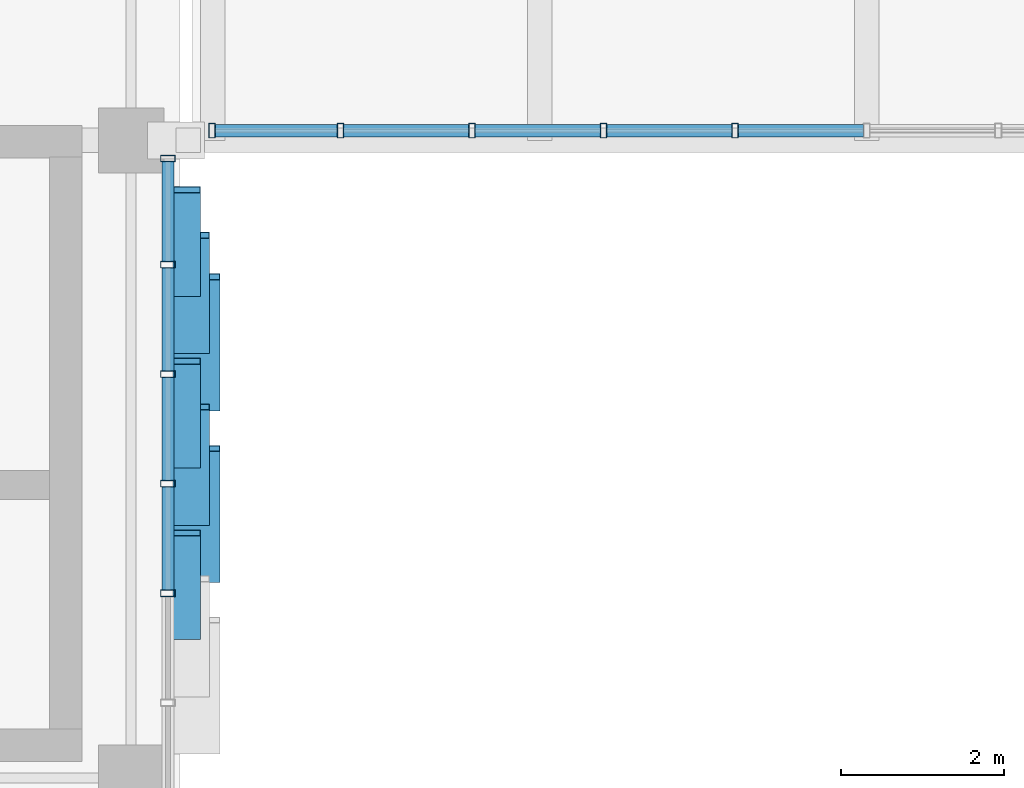
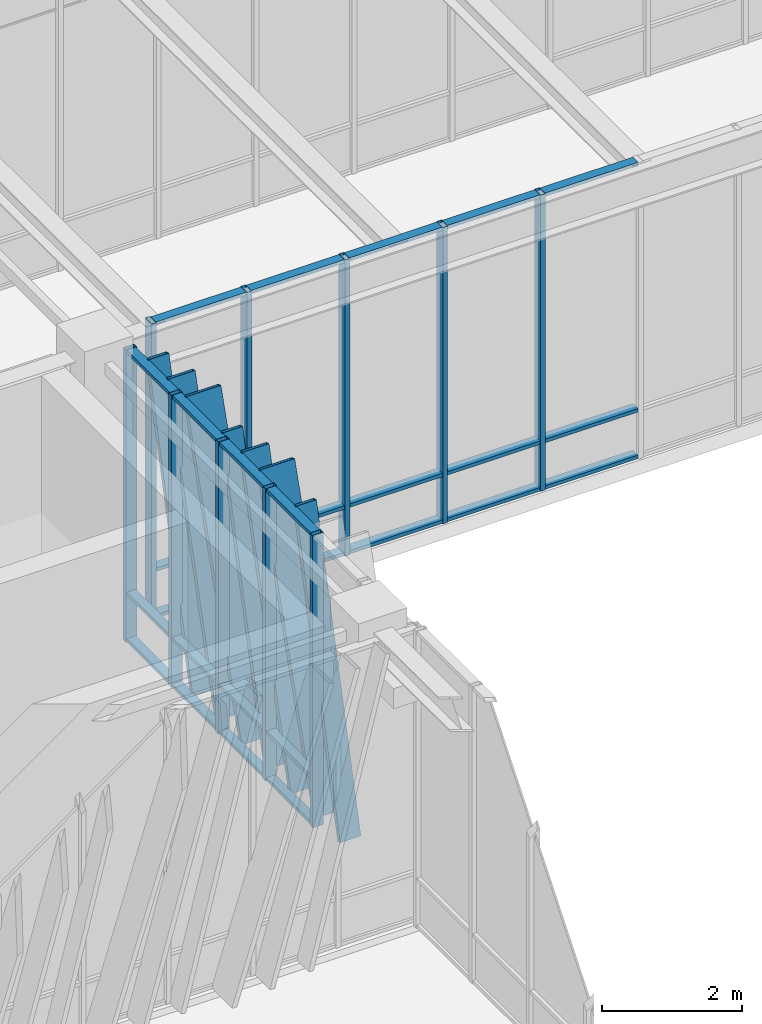
# One storey, part 56 of 139: 44 members, 2 elements without a shape of their own.
"""IFC4 building model written with IfcOpenShell, lengths in metres."""

from ifc_helpers import new_model, si_unit, direction, frame, origin, origin_2d, place, context, subcontext, project, spatial, hollow_rectangle, extrude, material, layer, layer_set, material_profile, profile_set, type_object, element, aggregate, save


model = new_model("IFC4")

# Units and contexts
model_context = context("Model", 3, precision=1e-05, world=origin(), true_north=direction((0.0, 1.0)))
body_context = subcontext(model_context, "Body", "Model", "MODEL_VIEW")
ifc_project = project(units=[si_unit("LENGTHUNIT", "METRE"), si_unit("AREAUNIT", "SQUARE_METRE"), si_unit("VOLUMEUNIT", "CUBIC_METRE"), si_unit("PLANEANGLEUNIT", "RADIAN"), si_unit("MASSUNIT", "GRAM", prefix="KILO")], contexts=[model_context])

# Site, building, storey
site_placement = place(None, origin())
site = spatial("IfcSite", under=ifc_project, at=site_placement, CompositionType="ELEMENT")
building_placement = place(site_placement, origin())
building = spatial("IfcBuilding", under=site, at=building_placement, Name="Zayran Congress Hotel", CompositionType="ELEMENT")
storey_placement = place(building_placement, frame((0.0, 0.0, 5.39990234375)))
storey = spatial("IfcBuildingStorey", under=building, at=storey_placement, Name="L01", CompositionType="ELEMENT", Elevation=5.39990234375)

# Curtain wall, members
ifc_material_1 = material(Name="Anodised aluminium and low-E insulated glass", Category="aluminium")
ifc_layer_1 = layer(ifc_material_1, 0.179931640625)
ifc_layer_set_1 = layer_set([ifc_layer_1], Name="Anodised aluminium and low-E insulated glass")
curtain_wall_type_1 = type_object("IfcCurtainWallType", Name="CW-V1E-L01-CW-41-8040-5080", PredefinedType="USERDEFINED", material=ifc_layer_set_1)
curtain_wall_1_placement = place(storey_placement, origin())
curtain_wall_1 = element("IfcCurtainWall", 1, at=curtain_wall_1_placement, inside=storey, type_object=curtain_wall_type_1, Name="CW-V1E-L01-0", ObjectType="CURTAIN WALL", PredefinedType="USERDEFINED")
ifc_material_2 = material(Name="Anodised aluminium framing", Category="aluminium")
ifc_material_profile_1 = material_profile(ifc_material_2, hollow_rectangle(XDim=0.080078125, YDim=0.179931640625, WallThickness=0.0048828125, at=origin_2d()), Name="RHS 180x80x5")
ifc_profile_set_1 = profile_set([ifc_material_profile_1], Name="Anodised aluminium framing")
member_type_1 = type_object("IfcMemberType", Name="TP-CWM-01", PredefinedType="MULLION", material=ifc_profile_set_1)
member_1_placement = place(storey_placement, frame((92.25, 70.4599609375, 0.0), z_axis=(0.0, 0.0, 1.0), x_axis=(0.0, 1.0, 0.0)))
member_1 = element("IfcMember", 2, at=member_1_placement, type_object=member_type_1, Name="CW-V1E-L01-0-M02", PredefinedType="MULLION", context=body_context, shape_type="SweptSolid", body=[
    extrude(hollow_rectangle(XDim=0.080078125, YDim=0.179931640625, WallThickness=0.0048828125, at=origin_2d()), origin(), (0.0, 0.0, 1.0), 5.080078125),
])
member_2_placement = place(storey_placement, frame((92.25, 71.800048828125, 0.0), z_axis=(0.0, 0.0, 1.0), x_axis=(0.0, 1.0, 0.0)))
member_2 = element("IfcMember", 3, at=member_2_placement, type_object=member_type_1, Name="CW-V1E-L01-0-M03", PredefinedType="MULLION", context=body_context, shape_type="SweptSolid", body=[
    extrude(hollow_rectangle(XDim=0.080078125, YDim=0.179931640625, WallThickness=0.0048828125, at=origin_2d()), origin(), (0.0, 0.0, 1.0), 5.080078125),
])
member_3_placement = place(storey_placement, frame((92.25, 73.139892578125, 0.0), z_axis=(0.0, 0.0, 1.0), x_axis=(0.0, 1.0, 0.0)))
member_3 = element("IfcMember", 4, at=member_3_placement, type_object=member_type_1, Name="CW-V1E-L01-0-M04", PredefinedType="MULLION", context=body_context, shape_type="SweptSolid", body=[
    extrude(hollow_rectangle(XDim=0.080078125, YDim=0.179931640625, WallThickness=0.0048828125, at=origin_2d()), origin(), (0.0, 0.0, 1.0), 5.080078125),
])
member_4_placement = place(storey_placement, frame((92.25, 74.47998046875, 0.0), z_axis=(0.0, 0.0, 1.0), x_axis=(0.0, 1.0, 0.0)))
member_4 = element("IfcMember", 5, at=member_4_placement, type_object=member_type_1, Name="CW-V1E-L01-0-M05", PredefinedType="MULLION", context=body_context, shape_type="SweptSolid", body=[
    extrude(hollow_rectangle(XDim=0.080078125, YDim=0.179931640625, WallThickness=0.0048828125, at=origin_2d()), origin(), (0.0, 0.0, 1.0), 5.080078125),
])
member_5_placement = place(storey_placement, frame((92.25, 75.780029296875, 0.0), z_axis=(0.0, 0.0, 1.0), x_axis=(0.0, 1.0, 0.0)))
member_5 = element("IfcMember", 6, at=member_5_placement, type_object=member_type_1, Name="CW-V1E-L01-0-M06", PredefinedType="MULLION", context=body_context, shape_type="SweptSolid", body=[
    extrude(hollow_rectangle(XDim=0.080078125, YDim=0.179931640625, WallThickness=0.0048828125, at=origin_2d()), origin(), (0.0, 0.0, 1.0), 5.080078125),
])

ifc_layer_2 = layer(ifc_material_1, 0.179931640625)
ifc_layer_set_2 = layer_set([ifc_layer_2], Name="Anodised aluminium and low-E insulated glass")
curtain_wall_type_2 = type_object("IfcCurtainWallType", Name="CW-BR1-L01-CW-BR1-16100-5150", PredefinedType="USERDEFINED", material=ifc_layer_set_2)
curtain_wall_2_placement = place(storey_placement, origin())
curtain_wall_2 = element("IfcCurtainWall", 7, at=curtain_wall_2_placement, inside=storey, type_object=curtain_wall_type_2, Name="CW-BR1S-L01", ObjectType="CURTAIN WALL", PredefinedType="USERDEFINED")
member_6_placement = place(storey_placement, frame((92.7900390625, 76.1201171875, 0.0), z_axis=(0.0, 0.0, 1.0), x_axis=(1.0, 0.0, 0.0)))
member_6 = element("IfcMember", 8, at=member_6_placement, type_object=member_type_1, Name="CW-BR1S-L01-M00", PredefinedType="MULLION", context=body_context, shape_type="SweptSolid", body=[
    extrude(hollow_rectangle(XDim=0.080078125, YDim=0.179931640625, WallThickness=0.0048828125, at=origin_2d()), origin(), (0.0, 0.0, 1.0), 5.150146484375),
])
member_7_placement = place(storey_placement, frame((94.360107421875, 76.1201171875, 0.0), z_axis=(0.0, 0.0, 1.0), x_axis=(1.0, 0.0, 0.0)))
member_7 = element("IfcMember", 9, at=member_7_placement, type_object=member_type_1, Name="CW-BR1S-L01-M01", PredefinedType="MULLION", context=body_context, shape_type="SweptSolid", body=[
    extrude(hollow_rectangle(XDim=0.080078125, YDim=0.179931640625, WallThickness=0.0048828125, at=origin_2d()), origin(), (0.0, 0.0, 1.0), 5.150146484375),
])
member_8_placement = place(storey_placement, frame((95.969970703125, 76.1201171875, 0.0), z_axis=(0.0, 0.0, 1.0), x_axis=(1.0, 0.0, 0.0)))
member_8 = element("IfcMember", 10, at=member_8_placement, type_object=member_type_1, Name="CW-BR1S-L01-M02", PredefinedType="MULLION", context=body_context, shape_type="SweptSolid", body=[
    extrude(hollow_rectangle(XDim=0.080078125, YDim=0.179931640625, WallThickness=0.0048828125, at=origin_2d()), origin(), (0.0, 0.0, 1.0), 5.150146484375),
])
member_9_placement = place(storey_placement, frame((97.580078125, 76.1201171875, 0.0), z_axis=(0.0, 0.0, 1.0), x_axis=(1.0, 0.0, 0.0)))
member_9 = element("IfcMember", 11, at=member_9_placement, type_object=member_type_1, Name="CW-BR1S-L01-M03", PredefinedType="MULLION", context=body_context, shape_type="SweptSolid", body=[
    extrude(hollow_rectangle(XDim=0.080078125, YDim=0.179931640625, WallThickness=0.0048828125, at=origin_2d()), origin(), (0.0, 0.0, 1.0), 5.150146484375),
])
member_10_placement = place(storey_placement, frame((99.18994140625, 76.1201171875, 0.0), z_axis=(0.0, 0.0, 1.0), x_axis=(1.0, 0.0, 0.0)))
member_10 = element("IfcMember", 12, at=member_10_placement, type_object=member_type_1, Name="CW-BR1S-L01-M04", PredefinedType="MULLION", context=body_context, shape_type="SweptSolid", body=[
    extrude(hollow_rectangle(XDim=0.080078125, YDim=0.179931640625, WallThickness=0.0048828125, at=origin_2d()), origin(), (0.0, 0.0, 1.0), 5.150146484375),
])

# Member
ifc_material_profile_2 = material_profile(ifc_material_2, hollow_rectangle(XDim=0.06005859375, YDim=0.14990234375, WallThickness=0.00390625, at=origin_2d()), Name="RHS 150x60x4")
ifc_profile_set_2 = profile_set([ifc_material_profile_2], Name="Anodised aluminium framing")
member_type_2 = type_object("IfcMemberType", Name="TP-CWT-01", PredefinedType="USERDEFINED", material=ifc_profile_set_2)
member_11_placement = place(storey_placement, frame((92.25, 70.5, 0.030029296875), z_axis=(0.0, 1.0, 0.0), x_axis=(0.0, 0.0, 1.0)))
member_11 = element("IfcMember", 13, at=member_11_placement, type_object=member_type_2, Name="CW-V1E-L01-0-T02-0", ObjectType="TRANSOM", PredefinedType="USERDEFINED", context=body_context, shape_type="SweptSolid", body=[
    extrude(hollow_rectangle(XDim=0.06005859375, YDim=0.14990234375, WallThickness=0.00390625, at=origin_2d()), origin(), (0.0, 0.0, 1.0), 1.260009765625),
])

member_12_placement = place(storey_placement, frame((92.25, 70.5, 0.840087890625), z_axis=(0.0, 1.0, 0.0), x_axis=(0.0, 0.0, 1.0)))
member_12 = element("IfcMember", 14, at=member_12_placement, type_object=member_type_2, Name="CW-V1E-L01-0-T02-1", ObjectType="TRANSOM", PredefinedType="USERDEFINED", context=body_context, shape_type="SweptSolid", body=[
    extrude(hollow_rectangle(XDim=0.06005859375, YDim=0.14990234375, WallThickness=0.00390625, at=origin_2d()), origin(), (0.0, 0.0, 1.0), 1.260009765625),
])

member_13_placement = place(storey_placement, frame((92.25, 70.5, 5.050048828125), z_axis=(0.0, 1.0, 0.0), x_axis=(0.0, 0.0, 1.0)))
member_13 = element("IfcMember", 15, at=member_13_placement, type_object=member_type_2, Name="CW-V1E-L01-0-T02-2", ObjectType="TRANSOM", PredefinedType="USERDEFINED", context=body_context, shape_type="SweptSolid", body=[
    extrude(hollow_rectangle(XDim=0.06005859375, YDim=0.14990234375, WallThickness=0.00390625, at=origin_2d()), origin(), (0.0, 0.0, 1.0), 1.260009765625),
])

member_14_placement = place(storey_placement, frame((92.25, 71.840087890625, 0.030029296875), z_axis=(0.0, 1.0, 0.0), x_axis=(0.0, 0.0, 1.0)))
member_14 = element("IfcMember", 16, at=member_14_placement, type_object=member_type_2, Name="CW-V1E-L01-0-T03-0", ObjectType="TRANSOM", PredefinedType="USERDEFINED", context=body_context, shape_type="SweptSolid", body=[
    extrude(hollow_rectangle(XDim=0.06005859375, YDim=0.14990234375, WallThickness=0.00390625, at=origin_2d()), origin(), (0.0, 0.0, 1.0), 1.260009765625),
])

member_15_placement = place(storey_placement, frame((92.25, 71.840087890625, 0.840087890625), z_axis=(0.0, 1.0, 0.0), x_axis=(0.0, 0.0, 1.0)))
member_15 = element("IfcMember", 17, at=member_15_placement, type_object=member_type_2, Name="CW-V1E-L01-0-T03-1", ObjectType="TRANSOM", PredefinedType="USERDEFINED", context=body_context, shape_type="SweptSolid", body=[
    extrude(hollow_rectangle(XDim=0.06005859375, YDim=0.14990234375, WallThickness=0.00390625, at=origin_2d()), origin(), (0.0, 0.0, 1.0), 1.260009765625),
])

member_16_placement = place(storey_placement, frame((92.25, 71.840087890625, 5.050048828125), z_axis=(0.0, 1.0, 0.0), x_axis=(0.0, 0.0, 1.0)))
member_16 = element("IfcMember", 18, at=member_16_placement, type_object=member_type_2, Name="CW-V1E-L01-0-T03-2", ObjectType="TRANSOM", PredefinedType="USERDEFINED", context=body_context, shape_type="SweptSolid", body=[
    extrude(hollow_rectangle(XDim=0.06005859375, YDim=0.14990234375, WallThickness=0.00390625, at=origin_2d()), origin(), (0.0, 0.0, 1.0), 1.260009765625),
])

member_17_placement = place(storey_placement, frame((92.25, 73.179931640625, 0.030029296875), z_axis=(0.0, 1.0, 0.0), x_axis=(0.0, 0.0, 1.0)))
member_17 = element("IfcMember", 19, at=member_17_placement, type_object=member_type_2, Name="CW-V1E-L01-0-T04-0", ObjectType="TRANSOM", PredefinedType="USERDEFINED", context=body_context, shape_type="SweptSolid", body=[
    extrude(hollow_rectangle(XDim=0.06005859375, YDim=0.14990234375, WallThickness=0.00390625, at=origin_2d()), origin(), (0.0, 0.0, 1.0), 1.260009765625),
])

member_18_placement = place(storey_placement, frame((92.25, 73.179931640625, 0.840087890625), z_axis=(0.0, 1.0, 0.0), x_axis=(0.0, 0.0, 1.0)))
member_18 = element("IfcMember", 20, at=member_18_placement, type_object=member_type_2, Name="CW-V1E-L01-0-T04-1", ObjectType="TRANSOM", PredefinedType="USERDEFINED", context=body_context, shape_type="SweptSolid", body=[
    extrude(hollow_rectangle(XDim=0.06005859375, YDim=0.14990234375, WallThickness=0.00390625, at=origin_2d()), origin(), (0.0, 0.0, 1.0), 1.260009765625),
])

member_19_placement = place(storey_placement, frame((92.25, 73.179931640625, 5.050048828125), z_axis=(0.0, 1.0, 0.0), x_axis=(0.0, 0.0, 1.0)))
member_19 = element("IfcMember", 21, at=member_19_placement, type_object=member_type_2, Name="CW-V1E-L01-0-T04-2", ObjectType="TRANSOM", PredefinedType="USERDEFINED", context=body_context, shape_type="SweptSolid", body=[
    extrude(hollow_rectangle(XDim=0.06005859375, YDim=0.14990234375, WallThickness=0.00390625, at=origin_2d()), origin(), (0.0, 0.0, 1.0), 1.260009765625),
])

member_20_placement = place(storey_placement, frame((92.25, 74.52001953125, 0.030029296875), z_axis=(0.0, 1.0, 0.0), x_axis=(0.0, 0.0, 1.0)))
member_20 = element("IfcMember", 22, at=member_20_placement, type_object=member_type_2, Name="CW-V1E-L01-0-T05-0", ObjectType="TRANSOM", PredefinedType="USERDEFINED", context=body_context, shape_type="SweptSolid", body=[
    extrude(hollow_rectangle(XDim=0.06005859375, YDim=0.14990234375, WallThickness=0.00390625, at=origin_2d()), origin(), (0.0, 0.0, 1.0), 1.219970703125),
])

member_21_placement = place(storey_placement, frame((92.25, 74.52001953125, 0.840087890625), z_axis=(0.0, 1.0, 0.0), x_axis=(0.0, 0.0, 1.0)))
member_21 = element("IfcMember", 23, at=member_21_placement, type_object=member_type_2, Name="CW-V1E-L01-0-T05-1", ObjectType="TRANSOM", PredefinedType="USERDEFINED", context=body_context, shape_type="SweptSolid", body=[
    extrude(hollow_rectangle(XDim=0.06005859375, YDim=0.14990234375, WallThickness=0.00390625, at=origin_2d()), origin(), (0.0, 0.0, 1.0), 1.219970703125),
])

member_22_placement = place(storey_placement, frame((92.25, 74.52001953125, 5.050048828125), z_axis=(0.0, 1.0, 0.0), x_axis=(0.0, 0.0, 1.0)))
member_22 = element("IfcMember", 24, at=member_22_placement, type_object=member_type_2, Name="CW-V1E-L01-0-T05-2", ObjectType="TRANSOM", PredefinedType="USERDEFINED", context=body_context, shape_type="SweptSolid", body=[
    extrude(hollow_rectangle(XDim=0.06005859375, YDim=0.14990234375, WallThickness=0.00390625, at=origin_2d()), origin(), (0.0, 0.0, 1.0), 1.219970703125),
])

member_23_placement = place(storey_placement, frame((92.830078125, 76.1201171875, 0.030029296875), z_axis=(1.0, 0.0, 0.0), x_axis=(0.0, 0.0, 1.0)))
member_23 = element("IfcMember", 25, at=member_23_placement, type_object=member_type_2, Name="CW-BR1S-L01-T00-0", ObjectType="TRANSOM", PredefinedType="USERDEFINED", context=body_context, shape_type="SweptSolid", body=[
    extrude(hollow_rectangle(XDim=0.06005859375, YDim=0.14990234375, WallThickness=0.00390625, at=origin_2d()), origin(), (0.0, 0.0, 1.0), 1.489990234375),
])

member_24_placement = place(storey_placement, frame((92.830078125, 76.1201171875, 0.840087890625), z_axis=(1.0, 0.0, 0.0), x_axis=(0.0, 0.0, 1.0)))
member_24 = element("IfcMember", 26, at=member_24_placement, type_object=member_type_2, Name="CW-BR1S-L01-T00-1", ObjectType="TRANSOM", PredefinedType="USERDEFINED", context=body_context, shape_type="SweptSolid", body=[
    extrude(hollow_rectangle(XDim=0.06005859375, YDim=0.14990234375, WallThickness=0.00390625, at=origin_2d()), origin(), (0.0, 0.0, 1.0), 1.489990234375),
])

member_25_placement = place(storey_placement, frame((92.830078125, 76.1201171875, 5.1201171875), z_axis=(1.0, 0.0, 0.0), x_axis=(0.0, 0.0, 1.0)))
member_25 = element("IfcMember", 27, at=member_25_placement, type_object=member_type_2, Name="CW-BR1S-L01-T00-2", ObjectType="TRANSOM", PredefinedType="USERDEFINED", context=body_context, shape_type="SweptSolid", body=[
    extrude(hollow_rectangle(XDim=0.06005859375, YDim=0.14990234375, WallThickness=0.00390625, at=origin_2d()), origin(), (0.0, 0.0, 1.0), 1.489990234375),
])

member_26_placement = place(storey_placement, frame((94.39990234375, 76.1201171875, 0.030029296875), z_axis=(1.0, 0.0, 0.0), x_axis=(0.0, 0.0, 1.0)))
member_26 = element("IfcMember", 28, at=member_26_placement, type_object=member_type_2, Name="CW-BR1S-L01-T01-0", ObjectType="TRANSOM", PredefinedType="USERDEFINED", context=body_context, shape_type="SweptSolid", body=[
    extrude(hollow_rectangle(XDim=0.06005859375, YDim=0.14990234375, WallThickness=0.00390625, at=origin_2d()), origin(), (0.0, 0.0, 1.0), 1.530029296875),
])

member_27_placement = place(storey_placement, frame((94.39990234375, 76.1201171875, 0.840087890625), z_axis=(1.0, 0.0, 0.0), x_axis=(0.0, 0.0, 1.0)))
member_27 = element("IfcMember", 29, at=member_27_placement, type_object=member_type_2, Name="CW-BR1S-L01-T01-1", ObjectType="TRANSOM", PredefinedType="USERDEFINED", context=body_context, shape_type="SweptSolid", body=[
    extrude(hollow_rectangle(XDim=0.06005859375, YDim=0.14990234375, WallThickness=0.00390625, at=origin_2d()), origin(), (0.0, 0.0, 1.0), 1.530029296875),
])

member_28_placement = place(storey_placement, frame((94.39990234375, 76.1201171875, 5.1201171875), z_axis=(1.0, 0.0, 0.0), x_axis=(0.0, 0.0, 1.0)))
member_28 = element("IfcMember", 30, at=member_28_placement, type_object=member_type_2, Name="CW-BR1S-L01-T01-2", ObjectType="TRANSOM", PredefinedType="USERDEFINED", context=body_context, shape_type="SweptSolid", body=[
    extrude(hollow_rectangle(XDim=0.06005859375, YDim=0.14990234375, WallThickness=0.00390625, at=origin_2d()), origin(), (0.0, 0.0, 1.0), 1.530029296875),
])

member_29_placement = place(storey_placement, frame((96.010009765625, 76.1201171875, 0.030029296875), z_axis=(1.0, 0.0, 0.0), x_axis=(0.0, 0.0, 1.0)))
member_29 = element("IfcMember", 31, at=member_29_placement, type_object=member_type_2, Name="CW-BR1S-L01-T02-0", ObjectType="TRANSOM", PredefinedType="USERDEFINED", context=body_context, shape_type="SweptSolid", body=[
    extrude(hollow_rectangle(XDim=0.06005859375, YDim=0.14990234375, WallThickness=0.00390625, at=origin_2d()), origin(), (0.0, 0.0, 1.0), 1.530029296875),
])

member_30_placement = place(storey_placement, frame((96.010009765625, 76.1201171875, 0.840087890625), z_axis=(1.0, 0.0, 0.0), x_axis=(0.0, 0.0, 1.0)))
member_30 = element("IfcMember", 32, at=member_30_placement, type_object=member_type_2, Name="CW-BR1S-L01-T02-1", ObjectType="TRANSOM", PredefinedType="USERDEFINED", context=body_context, shape_type="SweptSolid", body=[
    extrude(hollow_rectangle(XDim=0.06005859375, YDim=0.14990234375, WallThickness=0.00390625, at=origin_2d()), origin(), (0.0, 0.0, 1.0), 1.530029296875),
])

member_31_placement = place(storey_placement, frame((96.010009765625, 76.1201171875, 5.1201171875), z_axis=(1.0, 0.0, 0.0), x_axis=(0.0, 0.0, 1.0)))
member_31 = element("IfcMember", 33, at=member_31_placement, type_object=member_type_2, Name="CW-BR1S-L01-T02-2", ObjectType="TRANSOM", PredefinedType="USERDEFINED", context=body_context, shape_type="SweptSolid", body=[
    extrude(hollow_rectangle(XDim=0.06005859375, YDim=0.14990234375, WallThickness=0.00390625, at=origin_2d()), origin(), (0.0, 0.0, 1.0), 1.530029296875),
])

member_32_placement = place(storey_placement, frame((97.6201171875, 76.1201171875, 0.030029296875), z_axis=(1.0, 0.0, 0.0), x_axis=(0.0, 0.0, 1.0)))
member_32 = element("IfcMember", 34, at=member_32_placement, type_object=member_type_2, Name="CW-BR1S-L01-T03-0", ObjectType="TRANSOM", PredefinedType="USERDEFINED", context=body_context, shape_type="SweptSolid", body=[
    extrude(hollow_rectangle(XDim=0.06005859375, YDim=0.14990234375, WallThickness=0.00390625, at=origin_2d()), origin(), (0.0, 0.0, 1.0), 1.52978515625),
])

member_33_placement = place(storey_placement, frame((97.6201171875, 76.1201171875, 0.840087890625), z_axis=(1.0, 0.0, 0.0), x_axis=(0.0, 0.0, 1.0)))
member_33 = element("IfcMember", 35, at=member_33_placement, type_object=member_type_2, Name="CW-BR1S-L01-T03-1", ObjectType="TRANSOM", PredefinedType="USERDEFINED", context=body_context, shape_type="SweptSolid", body=[
    extrude(hollow_rectangle(XDim=0.06005859375, YDim=0.14990234375, WallThickness=0.00390625, at=origin_2d()), origin(), (0.0, 0.0, 1.0), 1.52978515625),
])

member_34_placement = place(storey_placement, frame((97.6201171875, 76.1201171875, 5.1201171875), z_axis=(1.0, 0.0, 0.0), x_axis=(0.0, 0.0, 1.0)))
member_34 = element("IfcMember", 36, at=member_34_placement, type_object=member_type_2, Name="CW-BR1S-L01-T03-2", ObjectType="TRANSOM", PredefinedType="USERDEFINED", context=body_context, shape_type="SweptSolid", body=[
    extrude(hollow_rectangle(XDim=0.06005859375, YDim=0.14990234375, WallThickness=0.00390625, at=origin_2d()), origin(), (0.0, 0.0, 1.0), 1.52978515625),
])

member_35_placement = place(storey_placement, frame((99.22998046875, 76.1201171875, 0.030029296875), z_axis=(1.0, 0.0, 0.0), x_axis=(0.0, 0.0, 1.0)))
member_35 = element("IfcMember", 37, at=member_35_placement, type_object=member_type_2, Name="CW-BR1S-L01-T04-0", ObjectType="TRANSOM", PredefinedType="USERDEFINED", context=body_context, shape_type="SweptSolid", body=[
    extrude(hollow_rectangle(XDim=0.06005859375, YDim=0.14990234375, WallThickness=0.00390625, at=origin_2d()), origin(), (0.0, 0.0, 1.0), 1.530029296875),
])

member_36_placement = place(storey_placement, frame((99.22998046875, 76.1201171875, 0.840087890625), z_axis=(1.0, 0.0, 0.0), x_axis=(0.0, 0.0, 1.0)))
member_36 = element("IfcMember", 38, at=member_36_placement, type_object=member_type_2, Name="CW-BR1S-L01-T04-1", ObjectType="TRANSOM", PredefinedType="USERDEFINED", context=body_context, shape_type="SweptSolid", body=[
    extrude(hollow_rectangle(XDim=0.06005859375, YDim=0.14990234375, WallThickness=0.00390625, at=origin_2d()), origin(), (0.0, 0.0, 1.0), 1.530029296875),
])

member_37_placement = place(storey_placement, frame((99.22998046875, 76.1201171875, 5.1201171875), z_axis=(1.0, 0.0, 0.0), x_axis=(0.0, 0.0, 1.0)))
member_37 = element("IfcMember", 39, at=member_37_placement, type_object=member_type_2, Name="CW-BR1S-L01-T04-2", ObjectType="TRANSOM", PredefinedType="USERDEFINED", context=body_context, shape_type="SweptSolid", body=[
    extrude(hollow_rectangle(XDim=0.06005859375, YDim=0.14990234375, WallThickness=0.00390625, at=origin_2d()), origin(), (0.0, 0.0, 1.0), 1.530029296875),
])

aggregate(curtain_wall_2, [member_6, member_7, member_8, member_9, member_10, member_23, member_24, member_25, member_26, member_27, member_28, member_29, member_30, member_31, member_32, member_33, member_34, member_35, member_36, member_37])

ifc_material_3 = material(Name="Warm bronze anodised aluminium", Category="aluminium")
ifc_material_profile_3 = material_profile(ifc_material_3, hollow_rectangle(XDim=0.080078125, YDim=0.580078125, WallThickness=0.006103515625, at=origin_2d()), Name="RHS 580x80x6")
ifc_profile_set_3 = profile_set([ifc_material_profile_3], Name="Warm bronze anodised aluminium")
member_type_3 = type_object("IfcMemberType", Name="TP-RFN-01", PredefinedType="MULLION", material=ifc_profile_set_3)
member_38_placement = place(storey_placement, frame((92.60009765625, 70.6298828125, 0.0), z_axis=(0.0, 0.300716755525, 0.953713496259), x_axis=(0.0, -0.953713496259, 0.300716755525)))
member_38 = element("IfcMember", 40, at=member_38_placement, type_object=member_type_3, Name="Slanting Reed Mullion CW-41-04", PredefinedType="MULLION", context=body_context, shape_type="SweptSolid", body=[
    extrude(hollow_rectangle(XDim=0.080078125, YDim=0.580078125, WallThickness=0.006103515625, at=origin_2d()), origin(), (0.0, 0.0, 1.0), 5.32666015625),
])

member_39_placement = place(storey_placement, frame((92.60009765625, 72.72998046875, 0.0), z_axis=(0.0, 0.300716755525, 0.953713496259), x_axis=(0.0, -0.953713496259, 0.300716755525)))
member_39 = element("IfcMember", 41, at=member_39_placement, type_object=member_type_3, Name="Slanting Reed Mullion CW-41-07", PredefinedType="MULLION", context=body_context, shape_type="SweptSolid", body=[
    extrude(hollow_rectangle(XDim=0.080078125, YDim=0.580078125, WallThickness=0.006103515625, at=origin_2d()), origin(), (0.0, 0.0, 1.0), 5.32666015625),
])

ifc_material_profile_4 = material_profile(ifc_material_3, hollow_rectangle(XDim=0.080078125, YDim=0.449951171875, WallThickness=0.006103515625, at=origin_2d()), Name="RHS 450x80x6")
ifc_profile_set_4 = profile_set([ifc_material_profile_4], Name="Warm bronze anodised aluminium")
member_type_4 = type_object("IfcMemberType", Name="TP-RFN-02", PredefinedType="MULLION", material=ifc_profile_set_4)
member_40_placement = place(storey_placement, frame((92.534912109375, 71.330078125, 0.0), z_axis=(0.0, 0.267213902124, 0.963637240102), x_axis=(0.0, -0.963637240102, 0.267213902124)))
member_40 = element("IfcMember", 42, at=member_40_placement, type_object=member_type_4, Name="Slanting Reed Mullion CW-41-05", PredefinedType="MULLION", context=body_context, shape_type="SweptSolid", body=[
    extrude(hollow_rectangle(XDim=0.080078125, YDim=0.449951171875, WallThickness=0.006103515625, at=origin_2d()), origin(), (0.0, 0.0, 1.0), 5.271728515625),
])

member_41_placement = place(storey_placement, frame((92.534912109375, 73.429931640625, 0.0), z_axis=(0.0, 0.267256905477, 0.96362531436), x_axis=(0.0, -0.96362531436, 0.267256905477)))
member_41 = element("IfcMember", 43, at=member_41_placement, type_object=member_type_4, Name="Slanting Reed Mullion CW-41-08", PredefinedType="MULLION", context=body_context, shape_type="SweptSolid", body=[
    extrude(hollow_rectangle(XDim=0.080078125, YDim=0.449951171875, WallThickness=0.006103515625, at=origin_2d()), origin(), (0.0, 0.0, 1.0), 5.271728515625),
])

ifc_material_profile_5 = material_profile(ifc_material_3, hollow_rectangle(XDim=0.080078125, YDim=0.340087890625, WallThickness=0.006103515625, at=origin_2d()), Name="RHS 340x80x6")
ifc_profile_set_5 = profile_set([ifc_material_profile_5], Name="Warm bronze anodised aluminium")
member_type_5 = type_object("IfcMemberType", Name="TP-RFN-03", PredefinedType="MULLION", material=ifc_profile_set_5)
member_42_placement = place(storey_placement, frame((92.47998046875, 69.929931640625, 0.0), z_axis=(0.0, 0.241921145618, 0.970295913267), x_axis=(0.0, -0.970295913267, 0.241921145618)))
member_42 = element("IfcMember", 44, at=member_42_placement, type_object=member_type_5, Name="Slanting Reed Mullion CW-41-03", PredefinedType="MULLION", context=body_context, shape_type="SweptSolid", body=[
    extrude(hollow_rectangle(XDim=0.080078125, YDim=0.340087890625, WallThickness=0.006103515625, at=origin_2d()), origin(), (0.0, 0.0, 1.0), 5.235595703125),
])

member_43_placement = place(storey_placement, frame((92.47998046875, 72.030029296875, 0.0), z_axis=(0.0, 0.241921145618, 0.970295913267), x_axis=(0.0, -0.970295913267, 0.241921145618)))
member_43 = element("IfcMember", 45, at=member_43_placement, type_object=member_type_5, Name="Slanting Reed Mullion CW-41-06", PredefinedType="MULLION", context=body_context, shape_type="SweptSolid", body=[
    extrude(hollow_rectangle(XDim=0.080078125, YDim=0.340087890625, WallThickness=0.006103515625, at=origin_2d()), origin(), (0.0, 0.0, 1.0), 5.235595703125),
])

member_44_placement = place(storey_placement, frame((92.47998046875, 74.1298828125, 0.0), z_axis=(0.0, 0.241921145618, 0.970295913267), x_axis=(0.0, -0.970295913267, 0.241921145618)))
member_44 = element("IfcMember", 46, at=member_44_placement, type_object=member_type_5, Name="Slanting Reed Mullion CW-41-09", PredefinedType="MULLION", context=body_context, shape_type="SweptSolid", body=[
    extrude(hollow_rectangle(XDim=0.080078125, YDim=0.340087890625, WallThickness=0.006103515625, at=origin_2d()), origin(), (0.0, 0.0, 1.0), 5.235595703125),
])

aggregate(curtain_wall_1, [member_1, member_2, member_3, member_4, member_5, member_11, member_12, member_13, member_14, member_15, member_16, member_17, member_18, member_19, member_20, member_21, member_22, member_42, member_38, member_40, member_43, member_39, member_41, member_44])

save(model, "model.ifc")
